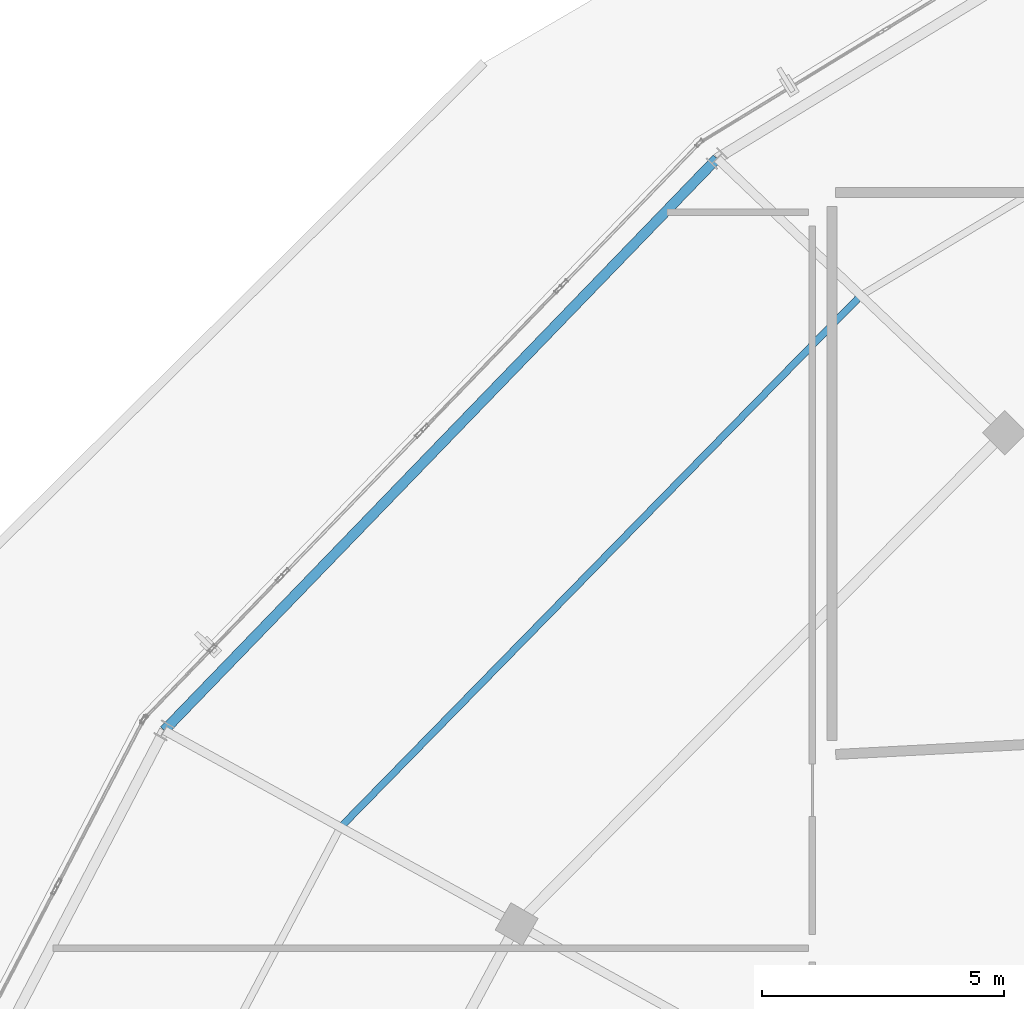
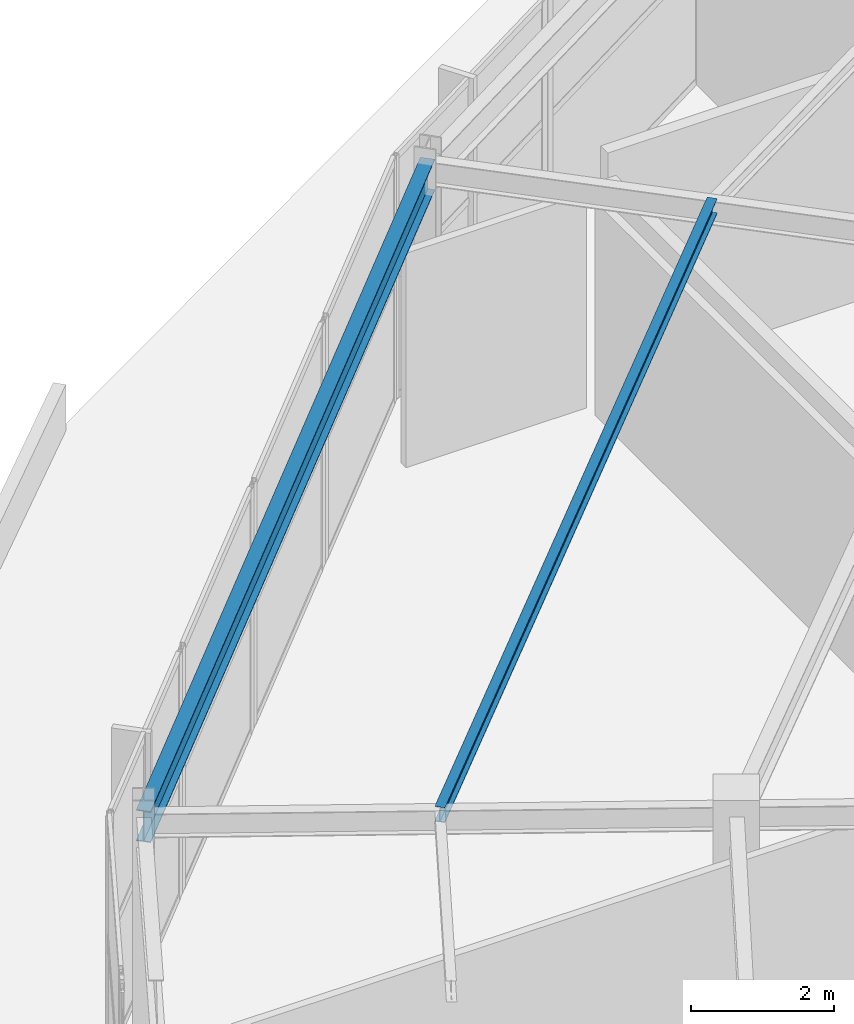
# One storey, part 58 of 126: 2 beams.
"""IFC4 building model written with IfcOpenShell, lengths in metres."""

from ifc_helpers import new_model, si_unit, direction, frame, origin, origin_2d, place, context, subcontext, project, spatial, i_section, extrude, material, material_profile, profile_set, type_object, element, save


model = new_model("IFC4")

# Units and contexts
model_context = context("Model", 3, precision=1e-05, world=origin(), true_north=direction((0.0, 1.0)))
body_context = subcontext(model_context, "Body", "Model", "MODEL_VIEW")
ifc_project = project(units=[si_unit("LENGTHUNIT", "METRE"), si_unit("AREAUNIT", "SQUARE_METRE"), si_unit("VOLUMEUNIT", "CUBIC_METRE"), si_unit("PLANEANGLEUNIT", "RADIAN"), si_unit("MASSUNIT", "GRAM", prefix="KILO")], contexts=[model_context])

# Site, building, storey
site_placement = place(None, origin())
site = spatial("IfcSite", under=ifc_project, at=site_placement, CompositionType="ELEMENT")
building_placement = place(site_placement, origin())
building = spatial("IfcBuilding", under=site, at=building_placement, Name="Kalgoora Escarpment Arena", CompositionType="ELEMENT")
storey_placement = place(building_placement, frame((0.0, 0.0, 18.89990234375)))
storey = spatial("IfcBuildingStorey", under=building, at=storey_placement, Name="L04", CompositionType="ELEMENT", Elevation=18.89990234375)

# Beams
ifc_material_1 = material(Name="Structural steel AS/NZS 3679 (300 MPa)", Category="steel")
ifc_material_profile_1 = material_profile(ifc_material_1, i_section(OverallWidth=0.14599609375, OverallDepth=0.256103515625, WebThickness=0.00634765625, FlangeThickness=0.010986328125, at=origin_2d()))
ifc_profile_set_1 = profile_set([ifc_material_profile_1], Name="Structural steel AS/NZS 3679 (300 MPa)")
beam_type_1 = type_object("IfcBeamType", Name="BM-BEAM-250UB37.3", PredefinedType="BEAM", material=ifc_profile_set_1)
beam_1_placement = place(storey_placement, frame((44.599609375, 101.476806640625, 4.092041015625), z_axis=(-0.699451819528, -0.714679754967, 0.0), x_axis=(0.714679754967, -0.699451819528, 0.0)))
element("IfcBeam", 1, at=beam_1_placement, inside=storey, type_object=beam_type_1, Name="L04 Concourse secondary ring beam 250UB37.3", PredefinedType="BEAM", context=body_context, shape_type="SweptSolid", body=[
    extrude(i_section(OverallWidth=0.14599609375, OverallDepth=0.256103515625, WebThickness=0.00634765625, FlangeThickness=0.010986328125, at=origin_2d()), origin(), (0.0, 0.0, 1.0), 15.359130859375),
])
ifc_material_2 = material(Name="Structural steel AS/NZS 3679 (300 MPa)", Category="steel")
ifc_material_profile_2 = material_profile(ifc_material_2, i_section(OverallWidth=0.208984375, OverallDepth=0.532958984375, WebThickness=0.01025390625, FlangeThickness=0.015625, at=origin_2d()))
ifc_profile_set_2 = profile_set([ifc_material_profile_2], Name="Structural steel AS/NZS 3679 (300 MPa)")
beam_type_2 = type_object("IfcBeamType", Name="BM-SPANDREL-530UB92.4", PredefinedType="SPANDREL", material=ifc_profile_set_2)
beam_2_placement = place(storey_placement, frame((41.629638671875, 104.30517578125, 3.95361328125), z_axis=(-0.694974435465, -0.719034445663, 0.0), x_axis=(0.719034445663, -0.694974435465, 0.0)))
element("IfcBeam", 2, at=beam_2_placement, inside=storey, type_object=beam_type_2, Name="L04 Circumferential concourse girder RCONC2 530UB92.4", PredefinedType="SPANDREL", context=body_context, shape_type="SweptSolid", body=[
    extrude(i_section(OverallWidth=0.208984375, OverallDepth=0.532958984375, WebThickness=0.01025390625, FlangeThickness=0.015625, at=origin_2d()), origin(), (0.0, 0.0, 1.0), 16.418212890625),
])

save(model, "model.ifc")
